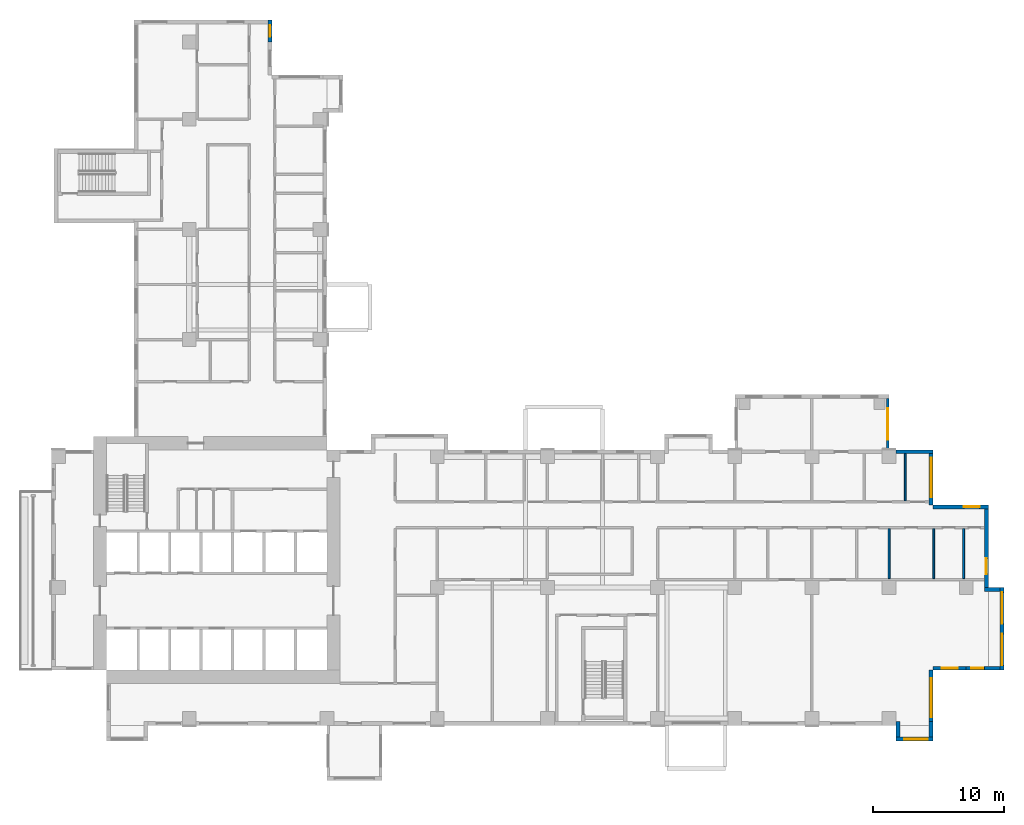
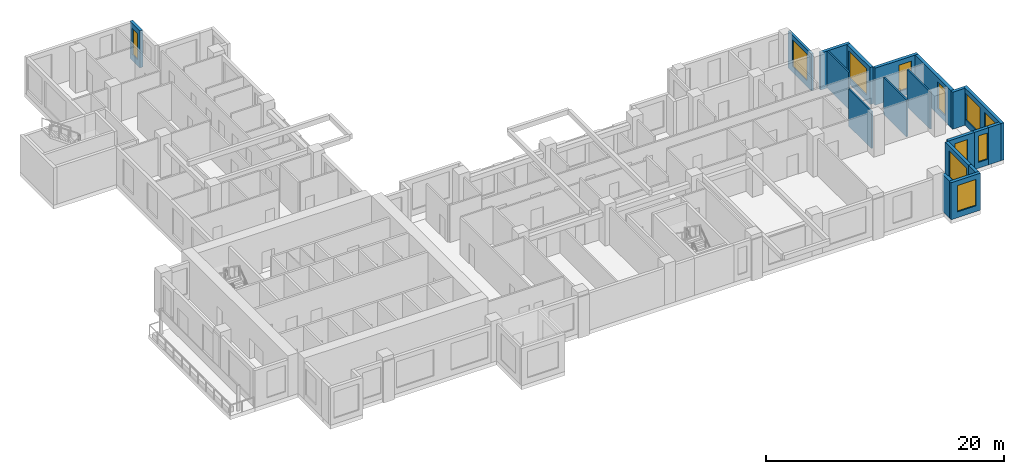
# One storey, part 8 of 14: 19 walls, 11 windows, 11 openings.
"""IFC4 building model written with IfcOpenShell, lengths in metres."""

from ifc_helpers import new_model, si_unit, direction, frame, frame_2d, origin, place, context, subcontext, project, spatial, rectangle, extrude, source, transform, mapped, material, layer, layer_set, type_object, element, fill, save


model = new_model("IFC4")

# Units and contexts
model_context = context("Model", 3, precision=1e-05, world=origin(), true_north=direction((0.0, 1.0)))
body_context = subcontext(model_context, "Body", "Model", "MODEL_VIEW")
ifc_project = project(units=[si_unit("LENGTHUNIT", "METRE"), si_unit("AREAUNIT", "SQUARE_METRE"), si_unit("VOLUMEUNIT", "CUBIC_METRE"), si_unit("PLANEANGLEUNIT", "RADIAN"), si_unit("MASSUNIT", "GRAM", prefix="KILO")], contexts=[model_context])

# Site, building, storey
site_placement = place(None, origin())
site = spatial("IfcSite", under=ifc_project, at=site_placement, CompositionType="ELEMENT")
building_placement = place(site_placement, origin())
building = spatial("IfcBuilding", under=site, at=building_placement, Name="Aurelian Terraces", CompositionType="ELEMENT")
storey_placement = place(building_placement, frame((0.0, 0.0, 116.1)))
storey = spatial("IfcBuildingStorey", under=building, at=storey_placement, Name="L25", CompositionType="ELEMENT", Elevation=116.1)

# Wall, opening, window
ifc_material_1 = material(Name="Terracotta rainscreen cladding", Category="masonry")
ifc_layer_1 = layer(ifc_material_1, 0.3)
ifc_layer_set_1 = layer_set([ifc_layer_1], Name="EW-300")
wall_type_1 = type_object("IfcWallType", Name="EW-300", PredefinedType="STANDARD", material=ifc_layer_set_1)
shared_shape_1 = source(origin(), body_context, "Body", "SweptSolid", [
    extrude(rectangle(XDim=4.2, YDim=0.3, at=frame_2d((2.1, 0.0))), origin(), (0.0, 0.0, 1.0), 3.8),
])
wall_1_placement = place(storey_placement, frame((67.05, 0.0, 0.0), z_axis=(0.0, 0.0, 1.0), x_axis=(0.0, 1.0, 0.0)))
wall_1 = element("IfcWall", 1, at=wall_1_placement, inside=storey, type_object=wall_type_1, Name="External wall L25 F02.11", PredefinedType="STANDARD", context=body_context, shape_type="MappedRepresentation", body=[
    mapped(shared_shape_1, transform((0.0, 0.0, 0.0), scale=1.0)),
])
shared_shape_2 = source(origin(), body_context, "Body", "SweptSolid", [
    extrude(rectangle(XDim=3.0, YDim=2.7, at=frame_2d((1.5, 1.35))), frame((0.0, 0.16, 0.0), z_axis=(0.0, -1.0, 0.0), x_axis=(1.0, 0.0, 0.0)), (0.0, 0.0, 1.0), 0.32),
])
opening_1_placement = place(wall_1_placement, frame((0.6, 0.0, 0.6)))
opening_1 = element("IfcOpeningElement", 2, at=opening_1_placement, cuts=wall_1, Name="Opening W3027", PredefinedType="OPENING", context=body_context, shape_type="MappedRepresentation", body=[
    mapped(shared_shape_2, transform((0.0, 0.0, 0.0), scale=1.0)),
])
ifc_material_2 = material(Name="Clear glazing", Category="glass")
window_type_1 = type_object("IfcWindowType", Name="W-3000x2700", PartitioningType="SINGLE_PANEL", PredefinedType="WINDOW", material=ifc_material_2)
shared_shape_3 = source(origin(), body_context, "Body", "SweptSolid", [
    extrude(rectangle(XDim=3.0, YDim=2.7, at=frame_2d((1.5, 1.35))), frame((0.0, 0.03, 0.0), z_axis=(0.0, -1.0, 0.0), x_axis=(1.0, 0.0, 0.0)), (0.0, 0.0, 1.0), 0.06),
])
window_1_placement = place(opening_1_placement, origin())
window_1 = element("IfcWindow", 3, at=window_1_placement, inside=storey, type_object=window_type_1, Name="Window L25 L25-F02-11-0", OverallHeight=2.7, OverallWidth=3.0, PartitioningType="SINGLE_PANEL", PredefinedType="WINDOW", context=body_context, shape_type="MappedRepresentation", body=[
    mapped(shared_shape_3, transform((0.0, 0.0, 0.0), scale=1.0)),
])
fill(opening_1, window_1)

wall_2_placement = place(storey_placement, frame((71.4, 16.65, 0.0), z_axis=(0.0, 0.0, 1.0), x_axis=(-1.0, 0.0, 0.0)))
wall_2 = element("IfcWall", 4, at=wall_2_placement, inside=storey, type_object=wall_type_1, Name="External wall L25 F05.16", PredefinedType="STANDARD", context=body_context, shape_type="MappedRepresentation", body=[
    mapped(shared_shape_1, transform((0.0, 0.0, 0.0), scale=1.0)),
])
shared_shape_4 = source(origin(), body_context, "Body", "SweptSolid", [
    extrude(rectangle(XDim=1.2, YDim=2.7, at=frame_2d((0.6, 1.35))), frame((0.0, 0.16, 0.0), z_axis=(0.0, -1.0, 0.0), x_axis=(1.0, 0.0, 0.0)), (0.0, 0.0, 1.0), 0.32),
])
opening_2_placement = place(wall_2_placement, frame((0.66, 0.0, 0.6)))
opening_2 = element("IfcOpeningElement", 5, at=opening_2_placement, cuts=wall_2, Name="Opening W1227", PredefinedType="OPENING", context=body_context, shape_type="MappedRepresentation", body=[
    mapped(shared_shape_4, transform((0.0, 0.0, 0.0), scale=1.0)),
])
window_type_2 = type_object("IfcWindowType", Name="W-1200x2700", PartitioningType="SINGLE_PANEL", PredefinedType="WINDOW", material=ifc_material_2)
shared_shape_5 = source(origin(), body_context, "Body", "SweptSolid", [
    extrude(rectangle(XDim=1.2, YDim=2.7, at=frame_2d((0.6, 1.35))), frame((0.0, 0.03, 0.0), z_axis=(0.0, -1.0, 0.0), x_axis=(1.0, 0.0, 0.0)), (0.0, 0.0, 1.0), 0.06),
])
window_2_placement = place(opening_2_placement, origin())
window_2 = element("IfcWindow", 6, at=window_2_placement, inside=storey, type_object=window_type_2, Name="Window L25 L25-F05-16-0", OverallHeight=2.7, OverallWidth=1.2, PartitioningType="SINGLE_PANEL", PredefinedType="WINDOW", context=body_context, shape_type="MappedRepresentation", body=[
    mapped(shared_shape_5, transform((0.0, 0.0, 0.0), scale=1.0)),
])
fill(opening_2, window_2)

wall_3_placement = place(storey_placement, frame((67.05, 16.8, 0.0), z_axis=(0.0, 0.0, 1.0), x_axis=(0.0, 1.0, 0.0)))
wall_3 = element("IfcWall", 7, at=wall_3_placement, inside=storey, type_object=wall_type_1, Name="External wall L25 F06.17", PredefinedType="STANDARD", context=body_context, shape_type="MappedRepresentation", body=[
    mapped(shared_shape_1, transform((0.0, 0.0, 0.0), scale=1.0)),
])
opening_3_placement = place(wall_3_placement, frame((0.6, 0.0, 0.6)))
opening_3 = element("IfcOpeningElement", 8, at=opening_3_placement, cuts=wall_3, Name="Opening W3027", PredefinedType="OPENING", context=body_context, shape_type="MappedRepresentation", body=[
    mapped(shared_shape_2, transform((0.0, 0.0, 0.0), scale=1.0)),
])
window_3_placement = place(opening_3_placement, origin())
window_3 = element("IfcWindow", 9, at=window_3_placement, inside=storey, type_object=window_type_1, Name="Window L25 L25-F06-17-0", OverallHeight=2.7, OverallWidth=3.0, PartitioningType="SINGLE_PANEL", PredefinedType="WINDOW", context=body_context, shape_type="MappedRepresentation", body=[
    mapped(shared_shape_3, transform((0.0, 0.0, 0.0), scale=1.0)),
])
fill(opening_3, window_3)

# Walls
shared_shape_6 = source(origin(), body_context, "Body", "SweptSolid", [
    extrude(rectangle(XDim=1.2, YDim=0.3, at=frame_2d((0.6, 0.0))), origin(), (0.0, 0.0, 1.0), 3.8),
])
for number, where, z_axis, x_axis, name in (
    (10, (64.515, 0.3, 0.0), (0.0, 0.0, 1.0), (0.0, -1.0, 0.0), "Bay return L25 F01.10.1"),
    (11, (67.05, 0.3, 0.0), (0.0, 0.0, 1.0), (0.0, -1.0, 0.0), "Bay return L25 F01.10.2"),
    (12, (71.1, 4.35, 0.0), (0.0, 0.0, 1.0), (1.0, 0.0, 0.0), "Bay return L25 F04.14.1"),
    (13, (71.1, 10.35, 0.0), (0.0, 0.0, 1.0), (1.0, 0.0, 0.0), "Bay return L25 F04.14.2"),
):
    element("IfcWall", number, at=place(storey_placement, frame(where, z_axis=z_axis, x_axis=x_axis)), inside=storey, type_object=wall_type_1, Name=name, PredefinedType="STANDARD", context=body_context, shape_type="MappedRepresentation", body=[
        mapped(shared_shape_6, transform((0.0, 0.0, 0.0), scale=1.0)),
    ])

# Wall, opening, window
shared_shape_7 = source(origin(), body_context, "Body", "SweptSolid", [
    extrude(rectangle(XDim=2.52, YDim=0.3, at=frame_2d((1.26, 0.0))), origin(), (0.0, 0.0, 1.0), 3.8),
])
wall_4_placement = place(storey_placement, frame((67.2, 4.35, 0.0), z_axis=(0.0, 0.0, 1.0), x_axis=(1.0, 0.0, 0.0)))
wall_4 = element("IfcWall", 14, at=wall_4_placement, inside=storey, type_object=wall_type_1, Name="External wall L25 F03.12", PredefinedType="STANDARD", context=body_context, shape_type="MappedRepresentation", body=[
    mapped(shared_shape_7, transform((0.0, 0.0, 0.0), scale=1.0)),
])
opening_4_placement = place(wall_4_placement, frame((0.66, 0.0, 0.6)))
opening_4 = element("IfcOpeningElement", 15, at=opening_4_placement, cuts=wall_4, Name="Opening W1227", PredefinedType="OPENING", context=body_context, shape_type="MappedRepresentation", body=[
    mapped(shared_shape_4, transform((0.0, 0.0, 0.0), scale=1.0)),
])
window_4_placement = place(opening_4_placement, origin())
window_4 = element("IfcWindow", 16, at=window_4_placement, inside=storey, type_object=window_type_2, Name="Window L25 L25-F03-12-0", OverallHeight=2.7, OverallWidth=1.2, PartitioningType="SINGLE_PANEL", PredefinedType="WINDOW", context=body_context, shape_type="MappedRepresentation", body=[
    mapped(shared_shape_5, transform((0.0, 0.0, 0.0), scale=1.0)),
])
fill(opening_4, window_4)

shared_shape_8 = source(origin(), body_context, "Body", "SweptSolid", [
    extrude(rectangle(XDim=1.68, YDim=0.3, at=frame_2d((0.84, 0.0))), origin(), (0.0, 0.0, 1.0), 3.8),
])
wall_5_placement = place(storey_placement, frame((69.72, 4.35, 0.0), z_axis=(0.0, 0.0, 1.0), x_axis=(1.0, 0.0, 0.0)))
wall_5 = element("IfcWall", 17, at=wall_5_placement, inside=storey, type_object=wall_type_1, Name="External wall L25 F03.13", PredefinedType="STANDARD", context=body_context, shape_type="MappedRepresentation", body=[
    mapped(shared_shape_8, transform((0.0, 0.0, 0.0), scale=1.0)),
])
shared_shape_9 = source(origin(), body_context, "Body", "SweptSolid", [
    extrude(rectangle(XDim=0.9, YDim=2.7, at=frame_2d((0.45, 1.35))), frame((0.0, 0.16, 0.0), z_axis=(0.0, -1.0, 0.0), x_axis=(1.0, 0.0, 0.0)), (0.0, 0.0, 1.0), 0.32),
])
opening_5_placement = place(wall_5_placement, frame((0.39, 0.0, 0.6)))
opening_5 = element("IfcOpeningElement", 18, at=opening_5_placement, cuts=wall_5, Name="Opening W0927", PredefinedType="OPENING", context=body_context, shape_type="MappedRepresentation", body=[
    mapped(shared_shape_9, transform((0.0, 0.0, 0.0), scale=1.0)),
])
window_type_3 = type_object("IfcWindowType", Name="W-900x2700", PartitioningType="SINGLE_PANEL", PredefinedType="WINDOW", material=ifc_material_2)
shared_shape_10 = source(origin(), body_context, "Body", "SweptSolid", [
    extrude(rectangle(XDim=0.9, YDim=2.7, at=frame_2d((0.45, 1.35))), frame((0.0, 0.03, 0.0), z_axis=(0.0, -1.0, 0.0), x_axis=(1.0, 0.0, 0.0)), (0.0, 0.0, 1.0), 0.06),
])
window_5_placement = place(opening_5_placement, origin())
window_5 = element("IfcWindow", 19, at=window_5_placement, inside=storey, type_object=window_type_3, Name="Window L25 L25-F03-13-P0", OverallHeight=2.7, OverallWidth=0.9, PartitioningType="SINGLE_PANEL", PredefinedType="WINDOW", context=body_context, shape_type="MappedRepresentation", body=[
    mapped(shared_shape_10, transform((0.0, 0.0, 0.0), scale=1.0)),
])
fill(opening_5, window_5)

wall_6_placement = place(storey_placement, frame((16.65, 52.08, 0.0), z_axis=(0.0, 0.0, 1.0), x_axis=(0.0, 1.0, 0.0)))
wall_6 = element("IfcWall", 20, at=wall_6_placement, inside=storey, type_object=wall_type_1, Name="External wall L25 F10.29", PredefinedType="STANDARD", context=body_context, shape_type="MappedRepresentation", body=[
    mapped(shared_shape_8, transform((0.0, 0.0, 0.0), scale=1.0)),
])
opening_6_placement = place(wall_6_placement, frame((0.39, 0.0, 0.6)))
opening_6 = element("IfcOpeningElement", 21, at=opening_6_placement, cuts=wall_6, Name="Opening W0927", PredefinedType="OPENING", context=body_context, shape_type="MappedRepresentation", body=[
    mapped(shared_shape_9, transform((0.0, 0.0, 0.0), scale=1.0)),
])
window_6_placement = place(opening_6_placement, origin())
window_6 = element("IfcWindow", 22, at=window_6_placement, inside=storey, type_object=window_type_3, Name="Window L25 L25-F10-29-P0", OverallHeight=2.7, OverallWidth=0.9, PartitioningType="SINGLE_PANEL", PredefinedType="WINDOW", context=body_context, shape_type="MappedRepresentation", body=[
    mapped(shared_shape_10, transform((0.0, 0.0, 0.0), scale=1.0)),
])
fill(opening_6, window_6)

# Wall, openings, windows
shared_shape_11 = source(origin(), body_context, "Body", "SweptSolid", [
    extrude(rectangle(XDim=6.3, YDim=0.3, at=frame_2d((3.15, 0.0))), origin(), (0.0, 0.0, 1.0), 3.8),
])
wall_7_placement = place(storey_placement, frame((72.45, 4.2, 0.0), z_axis=(0.0, 0.0, 1.0), x_axis=(0.0, 1.0, 0.0)))
wall_7 = element("IfcWall", 23, at=wall_7_placement, inside=storey, type_object=wall_type_1, Name="Bay wall L25 F04.14", PredefinedType="STANDARD", context=body_context, shape_type="MappedRepresentation", body=[
    mapped(shared_shape_11, transform((0.0, 0.0, 0.0), scale=1.0)),
])
shared_shape_12 = source(origin(), body_context, "Body", "SweptSolid", [
    extrude(rectangle(XDim=2.4, YDim=2.7, at=frame_2d((1.2, 1.35))), frame((0.0, 0.16, 0.0), z_axis=(0.0, -1.0, 0.0), x_axis=(1.0, 0.0, 0.0)), (0.0, 0.0, 1.0), 0.32),
])
opening_7_placement = place(wall_7_placement, frame((0.375, 0.0, 0.6)))
opening_7 = element("IfcOpeningElement", 24, at=opening_7_placement, cuts=wall_7, Name="Opening W2427", PredefinedType="OPENING", context=body_context, shape_type="MappedRepresentation", body=[
    mapped(shared_shape_12, transform((0.0, 0.0, 0.0), scale=1.0)),
])
opening_8_placement = place(wall_7_placement, frame((3.525, 0.0, 0.6)))
opening_8 = element("IfcOpeningElement", 25, at=opening_8_placement, cuts=wall_7, Name="Opening W2427", PredefinedType="OPENING", context=body_context, shape_type="MappedRepresentation", body=[
    mapped(shared_shape_12, transform((0.0, 0.0, 0.0), scale=1.0)),
])
window_type_4 = type_object("IfcWindowType", Name="W-2400x2700", PartitioningType="SINGLE_PANEL", PredefinedType="WINDOW", material=ifc_material_2)
shared_shape_13 = source(origin(), body_context, "Body", "SweptSolid", [
    extrude(rectangle(XDim=2.4, YDim=2.7, at=frame_2d((1.2, 1.35))), frame((0.0, 0.03, 0.0), z_axis=(0.0, -1.0, 0.0), x_axis=(1.0, 0.0, 0.0)), (0.0, 0.0, 1.0), 0.06),
])
window_7_placement = place(opening_7_placement, origin())
window_7 = element("IfcWindow", 26, at=window_7_placement, inside=storey, type_object=window_type_4, Name="Window L25 L25-F04-14-0", OverallHeight=2.7, OverallWidth=2.4, PartitioningType="SINGLE_PANEL", PredefinedType="WINDOW", context=body_context, shape_type="MappedRepresentation", body=[
    mapped(shared_shape_13, transform((0.0, 0.0, 0.0), scale=1.0)),
])
fill(opening_7, window_7)
window_8_placement = place(opening_8_placement, origin())
window_8 = element("IfcWindow", 27, at=window_8_placement, inside=storey, type_object=window_type_4, Name="Window L25 L25-F04-14-1", OverallHeight=2.7, OverallWidth=2.4, PartitioningType="SINGLE_PANEL", PredefinedType="WINDOW", context=body_context, shape_type="MappedRepresentation", body=[
    mapped(shared_shape_13, transform((0.0, 0.0, 0.0), scale=1.0)),
])
fill(opening_8, window_8)

# Wall, opening, window
wall_8_placement = place(storey_placement, frame((71.25, 10.5, 0.0), z_axis=(0.0, 0.0, 1.0), x_axis=(0.0, 1.0, 0.0)))
wall_8 = element("IfcWall", 28, at=wall_8_placement, inside=storey, type_object=wall_type_1, Name="External wall L25 F04.15", PredefinedType="STANDARD", context=body_context, shape_type="MappedRepresentation", body=[
    mapped(shared_shape_11, transform((0.0, 0.0, 0.0), scale=1.0)),
])
opening_9_placement = place(wall_8_placement, frame((1.025, 0.0, 0.6)))
opening_9 = element("IfcOpeningElement", 29, at=opening_9_placement, cuts=wall_8, Name="Opening W1227", PredefinedType="OPENING", context=body_context, shape_type="MappedRepresentation", body=[
    mapped(shared_shape_4, transform((0.0, 0.0, 0.0), scale=1.0)),
])
window_9_placement = place(opening_9_placement, origin())
window_9 = element("IfcWindow", 30, at=window_9_placement, inside=storey, type_object=window_type_2, Name="Window L25 L25-F04-15-0", OverallHeight=2.7, OverallWidth=1.2, PartitioningType="SINGLE_PANEL", PredefinedType="WINDOW", context=body_context, shape_type="MappedRepresentation", body=[
    mapped(shared_shape_5, transform((0.0, 0.0, 0.0), scale=1.0)),
])
fill(opening_9, window_9)

ifc_material_3 = material(Name="Concrete fc' 40 MPa", Category="concrete")
ifc_layer_2 = layer(ifc_material_3, 0.2)
ifc_layer_set_2 = layer_set([ifc_layer_2], Name="BOX BEARING WALL 200")
wall_type_2 = type_object("IfcWallType", Name="BOX BEARING WALL 200", PredefinedType="SOLIDWALL", material=ifc_layer_set_2)
shared_shape_14 = source(origin(), body_context, "Body", "SweptSolid", [
    extrude(rectangle(XDim=3.9, YDim=0.2, at=frame_2d((1.95, 0.0))), origin(), (0.0, 0.0, 1.0), 3.79),
])
wall_9_placement = place(storey_placement, frame((63.74, 21.0, 0.0), z_axis=(0.0, 0.0, 1.0), x_axis=(0.0, 1.0, 0.0)))
wall_9 = element("IfcWall", 31, at=wall_9_placement, inside=storey, type_object=wall_type_2, Name="Box return L25 K02.1", PredefinedType="SOLIDWALL", context=body_context, shape_type="MappedRepresentation", body=[
    mapped(shared_shape_14, transform((0.0, 0.0, 0.0), scale=1.0)),
])
shared_shape_15 = source(origin(), body_context, "Body", "SweptSolid", [
    extrude(rectangle(XDim=2.4, YDim=2.7, at=frame_2d((1.2, 1.35))), frame((0.0, 0.11, 0.0), z_axis=(0.0, -1.0, 0.0), x_axis=(1.0, 0.0, 0.0)), (0.0, 0.0, 1.0), 0.22),
])
opening_10_placement = place(wall_9_placement, frame((0.75, 0.0, 0.6)))
opening_10 = element("IfcOpeningElement", 32, at=opening_10_placement, cuts=wall_9, Name="Opening W2427", PredefinedType="OPENING", context=body_context, shape_type="MappedRepresentation", body=[
    mapped(shared_shape_15, transform((0.0, 0.0, 0.0), scale=1.0)),
])
window_10_placement = place(opening_10_placement, origin())
window_10 = element("IfcWindow", 33, at=window_10_placement, inside=storey, type_object=window_type_4, Name="Window L25 K02-S1", OverallHeight=2.7, OverallWidth=2.4, PartitioningType="SINGLE_PANEL", PredefinedType="WINDOW", context=body_context, shape_type="MappedRepresentation", body=[
    mapped(shared_shape_13, transform((0.0, 0.0, 0.0), scale=1.0)),
])
fill(opening_10, window_10)

shared_shape_16 = source(origin(), body_context, "Body", "SweptSolid", [
    extrude(rectangle(XDim=2.835, YDim=0.3, at=frame_2d((1.4175, 0.0))), origin(), (0.0, 0.0, 1.0), 3.8),
])
wall_10_placement = place(storey_placement, frame((64.365, -1.05, 0.0), z_axis=(0.0, 0.0, 1.0), x_axis=(1.0, 0.0, 0.0)))
wall_10 = element("IfcWall", 34, at=wall_10_placement, inside=storey, type_object=wall_type_1, Name="Bay wall L25 F01.10", PredefinedType="STANDARD", context=body_context, shape_type="MappedRepresentation", body=[
    mapped(shared_shape_16, transform((0.0, 0.0, 0.0), scale=1.0)),
])
shared_shape_17 = source(origin(), body_context, "Body", "SweptSolid", [
    extrude(rectangle(XDim=1.8, YDim=2.7, at=frame_2d((0.9, 1.35))), frame((0.0, 0.16, 0.0), z_axis=(0.0, -1.0, 0.0), x_axis=(1.0, 0.0, 0.0)), (0.0, 0.0, 1.0), 0.32),
])
opening_11_placement = place(wall_10_placement, frame((0.6175, 0.0, 0.6)))
opening_11 = element("IfcOpeningElement", 35, at=opening_11_placement, cuts=wall_10, Name="Opening W1827", PredefinedType="OPENING", context=body_context, shape_type="MappedRepresentation", body=[
    mapped(shared_shape_17, transform((0.0, 0.0, 0.0), scale=1.0)),
])
window_type_5 = type_object("IfcWindowType", Name="W-1800x2700", PartitioningType="SINGLE_PANEL", PredefinedType="WINDOW", material=ifc_material_2)
shared_shape_18 = source(origin(), body_context, "Body", "SweptSolid", [
    extrude(rectangle(XDim=1.8, YDim=2.7, at=frame_2d((0.9, 1.35))), frame((0.0, 0.03, 0.0), z_axis=(0.0, -1.0, 0.0), x_axis=(1.0, 0.0, 0.0)), (0.0, 0.0, 1.0), 0.06),
])
window_11_placement = place(opening_11_placement, origin())
window_11 = element("IfcWindow", 36, at=window_11_placement, inside=storey, type_object=window_type_5, Name="Window L25 L25-F01-10-0", OverallHeight=2.7, OverallWidth=1.8, PartitioningType="SINGLE_PANEL", PredefinedType="WINDOW", context=body_context, shape_type="MappedRepresentation", body=[
    mapped(shared_shape_18, transform((0.0, 0.0, 0.0), scale=1.0)),
])
fill(opening_11, window_11)

# Walls
wall_11_placement = place(storey_placement, frame((67.2, 20.85, 0.0), z_axis=(0.0, 0.0, 1.0), x_axis=(-1.0, 0.0, 0.0)))
element("IfcWall", 37, at=wall_11_placement, inside=storey, type_object=wall_type_1, Name="External wall L25 F07.18", PredefinedType="STANDARD", context=body_context, shape_type="MappedRepresentation", body=[
    mapped(shared_shape_16, transform((0.0, 0.0, 0.0), scale=1.0)),
])
ifc_material_4 = material(Name="Gypsum board on steel studs", Category="steel")
ifc_layer_3 = layer(ifc_material_4, 0.15)
ifc_layer_set_3 = layer_set([ifc_layer_3], Name="Partition 150")
wall_type_3 = type_object("IfcWallType", Name="Partition 150", PredefinedType="PARTITIONING", material=ifc_layer_set_3)
shared_shape_19 = source(origin(), body_context, "Body", "SweptSolid", [
    extrude(rectangle(XDim=3.6, YDim=0.15, at=frame_2d((1.8, 0.0))), origin(), (0.0, 0.0, 1.0), 3.8),
])
wall_12_placement = place(storey_placement, frame((65.0722, 20.7, 0.0), z_axis=(0.0, 0.0, 1.0), x_axis=(0.0, -1.0, 0.0)))
element("IfcWall", 38, at=wall_12_placement, inside=storey, type_object=wall_type_3, Name="Partition", PredefinedType="PARTITIONING", context=body_context, shape_type="MappedRepresentation", body=[
    mapped(shared_shape_19, transform((0.0, 0.0, 0.0), scale=1.0)),
])
shared_shape_20 = source(origin(), body_context, "Body", "SweptSolid", [
    extrude(rectangle(XDim=3.825, YDim=0.15, at=frame_2d((1.9125, 0.0))), origin(), (0.0, 0.0, 1.0), 3.8),
])
for number, where, z_axis, x_axis, name in (
    (39, (63.84, 11.175, 0.0), (0.0, 0.0, 1.0), (0.0, 1.0, 0.0), "Partition"),
    (40, (67.2444, 11.175, 0.0), (0.0, 0.0, 1.0), (0.0, 1.0, 0.0), "Partition"),
    (41, (69.5152, 11.175, 0.0), (0.0, 0.0, 1.0), (0.0, 1.0, 0.0), "Partition"),
):
    element("IfcWall", number, at=place(storey_placement, frame(where, z_axis=z_axis, x_axis=x_axis)), inside=storey, type_object=wall_type_3, Name=name, PredefinedType="PARTITIONING", context=body_context, shape_type="MappedRepresentation", body=[
        mapped(shared_shape_20, transform((0.0, 0.0, 0.0), scale=1.0)),
    ])

save(model, "model.ifc")
